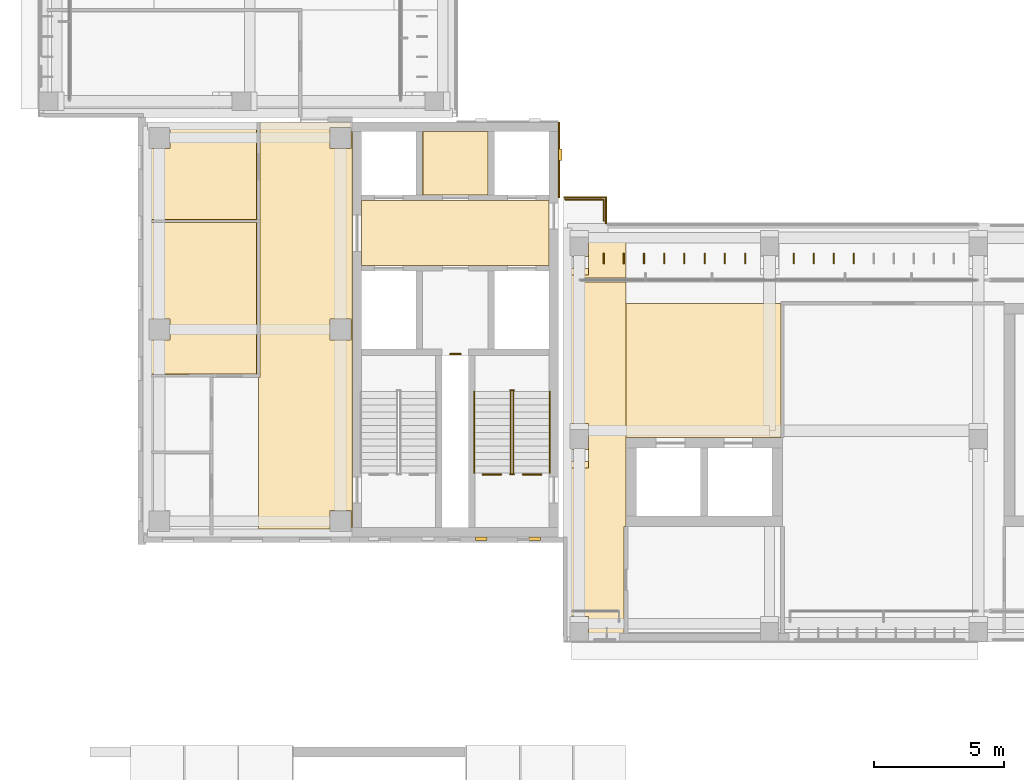
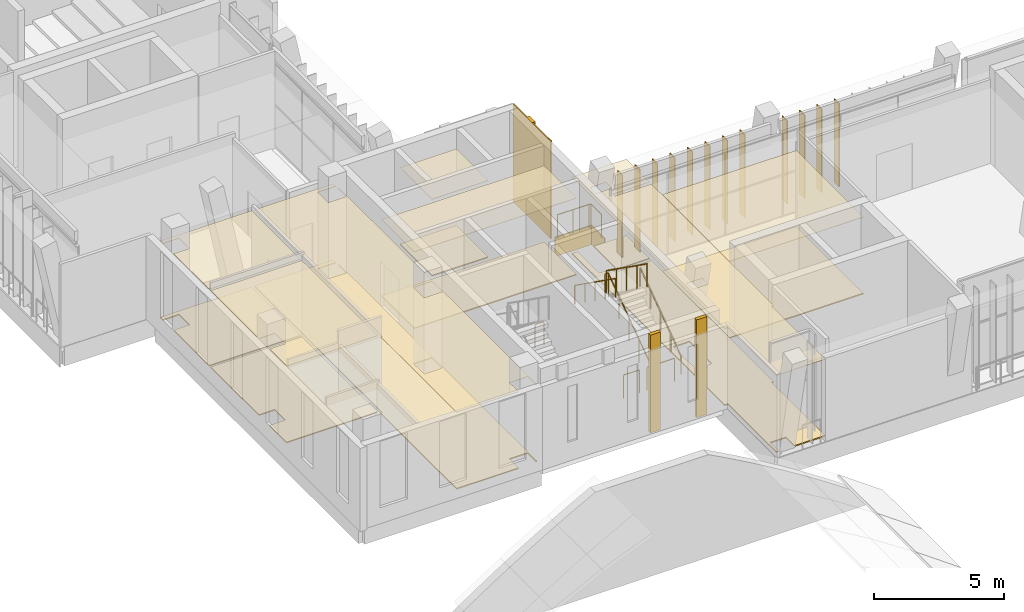
# One storey, part 54 of 74: 20 coverings, 12 shading devices, 10 railings.
"""IFC4 building model written with IfcOpenShell, lengths in metres."""

from ifc_helpers import new_model, si_unit, direction, frame, frame_2d, origin, origin_2d, place, context, subcontext, project, spatial, polyline, rectangle, circle, outline, extrude, material, layer, layer_set, type_object, element, save


model = new_model("IFC4")

# Units and contexts
model_context = context("Model", 3, precision=1e-05, world=origin(), true_north=direction((0.0, 1.0)))
body_context = subcontext(model_context, "Body", "Model", "MODEL_VIEW")
ifc_project = project(units=[si_unit("LENGTHUNIT", "METRE"), si_unit("AREAUNIT", "SQUARE_METRE"), si_unit("VOLUMEUNIT", "CUBIC_METRE"), si_unit("PLANEANGLEUNIT", "RADIAN"), si_unit("MASSUNIT", "GRAM", prefix="KILO")], contexts=[model_context])

# Site, building, storey
site_placement = place(None, origin())
site = spatial("IfcSite", under=ifc_project, at=site_placement, CompositionType="ELEMENT")
building_placement = place(site_placement, origin())
building = spatial("IfcBuilding", under=site, at=building_placement, Name="Lantern Court Media Centre", CompositionType="ELEMENT")
storey_placement = place(building_placement, frame((0.0, 0.0, 19.199951171875)))
storey = spatial("IfcBuildingStorey", under=building, at=storey_placement, Name="L04", CompositionType="ELEMENT", Elevation=19.199951171875)

# Coverings
ifc_material_1 = material(Name="Carpet")
ifc_layer_1 = layer(ifc_material_1, 0.050048828125)
ifc_layer_set_1 = layer_set([ifc_layer_1], Name="Carpet")
covering_type_1 = type_object("IfcCoveringType", Name="Carpet floor finish", PredefinedType="FLOORING", material=ifc_layer_set_1)
covering_1_placement = place(storey_placement, origin())
element("IfcCovering", 1, at=covering_1_placement, inside=storey, type_object=covering_type_1, Name="Digital Media Lab floor finish", PredefinedType="FLOORING", context=body_context, shape_type="SweptSolid", body=[
    extrude(outline(polyline([(8.300048828125, 60.052001953125), (12.33251953125, 60.052001953125), (12.33251953125, 54.24755859375), (8.300048828125, 54.235107421875), (8.300048828125, 55.544921875), (9.0048828125, 55.550048828125), (9.00390625, 56.353271484375), (8.300048828125, 56.35498046875), (8.300048828125, 60.052001953125)])), origin(), (0.0, 0.0, 1.0), 0.050048828125),
])
covering_2_placement = place(storey_placement, origin())
element("IfcCovering", 2, at=covering_2_placement, inside=storey, type_object=covering_type_1, Name="Library Administration Office floor finish", PredefinedType="FLOORING", context=body_context, shape_type="SweptSolid", body=[
    extrude(outline(polyline([(8.300048828125, 63.89990234375), (12.33251953125, 63.89990234375), (12.33251953125, 60.162109375), (8.300048828125, 60.162109375), (8.300048828125, 62.89501953125), (9.0048828125, 62.89990234375), (9.004150390625, 63.702880859375), (8.300048828125, 63.705078125), (8.300048828125, 63.89990234375)])), origin(), (0.0, 0.0, 1.0), 0.050048828125),
])
ifc_material_2 = material(Name="Ceramic tile")
ifc_layer_2 = layer(ifc_material_2, 0.050048828125)
ifc_layer_set_2 = layer_set([ifc_layer_2], Name="Ceramic tile")
covering_type_2 = type_object("IfcCoveringType", Name="Ceramic tile floor finish", PredefinedType="FLOORING", material=ifc_layer_set_2)
covering_3_placement = place(storey_placement, origin())
element("IfcCovering", 3, at=covering_3_placement, inside=storey, type_object=covering_type_2, Name="Accessible WC floor finish", PredefinedType="FLOORING", context=body_context, shape_type="SweptSolid", body=[
    extrude(outline(polyline([(21.195068359375, 63.544921875), (21.195068359375, 61.10498046875), (18.705078125, 61.10498046875), (18.705078125, 63.544921875), (21.195068359375, 63.544921875)])), origin(), (0.0, 0.0, 1.0), 0.050048828125),
])

# Railings
ifc_material_3 = material(Name="Powder-coated steel", Category="steel")
railing_type_1 = type_object("IfcRailingType", Name="Floor edge guard 1100", PredefinedType="GUARDRAIL", material=ifc_material_3)
for number, where, name in (
    (4, (23.25, 50.390380859375, 0.0), "L04 opening guard 104"),
    (5, (21.70361328125, 50.390380859375, 0.0), "L04 opening guard 105"),
):
    element("IfcRailing", number, at=place(storey_placement, frame(where)), inside=storey, type_object=railing_type_1, Name=name, PredefinedType="GUARDRAIL", context=body_context, shape_type="SweptSolid", body=[
        extrude(circle(Radius=0.02392578125, at=origin_2d()), frame((0.0, 0.0, 1.076171875), z_axis=(-1.0, 0.0, 0.0), x_axis=(0.0, -1.0, 0.0)), (0.0, 0.0, 1.0), 0.70361328125),
        extrude(circle(Radius=0.02099609375, at=origin_2d()), origin(), (0.0, 0.0, 1.0), 1.052001953125),
        extrude(circle(Radius=0.02099609375, at=origin_2d()), frame((-0.70361328125, 0.0, 0.0)), (0.0, 0.0, 1.0), 1.052001953125),
    ])
railing_1_placement = place(storey_placement, frame((20.14990234375, 55.010009765625, 0.0)))
element("IfcRailing", 6, at=railing_1_placement, inside=storey, type_object=railing_type_1, Name="L04 opening guard 106", PredefinedType="GUARDRAIL", context=body_context, shape_type="SweptSolid", body=[
    extrude(circle(Radius=0.02392578125, at=origin_2d()), frame((0.0, 0.0, 1.076171875), z_axis=(-1.0, 0.0, 0.0), x_axis=(0.0, -1.0, 0.0)), (0.0, 0.0, 1.0), 0.39990234375),
    extrude(circle(Radius=0.02099609375, at=origin_2d()), origin(), (0.0, 0.0, 1.0), 1.052001953125),
    extrude(circle(Radius=0.02099609375, at=origin_2d()), frame((-0.39990234375, 0.0, 0.0)), (0.0, 0.0, 1.0), 1.052001953125),
])
railing_2_placement = place(storey_placement, frame((24.159912109375, 60.93994140625, 0.0)))
element("IfcRailing", 7, at=railing_2_placement, inside=storey, type_object=railing_type_1, Name="L04 edge guard 122", PredefinedType="GUARDRAIL", context=body_context, shape_type="SweptSolid", body=[
    extrude(circle(Radius=0.02392578125, at=origin_2d()), frame((0.0, 0.0, 1.076171875), z_axis=(1.0, 0.0, 0.0), x_axis=(0.0, 1.0, 0.0)), (0.0, 0.0, 1.0), 1.400146484375),
    extrude(circle(Radius=0.02392578125, at=origin_2d()), frame((1.400146484375, 0.0, 1.076171875), z_axis=(0.96996776307, -0.243233506336, 0.0), x_axis=(0.243233506336, 0.96996776307, 0.0)), (0.0, 0.0, 1.0), 0.082275390625),
    extrude(circle(Radius=0.02392578125, at=origin_2d()), frame((1.47998046875, -0.02001953125, 1.076171875), z_axis=(0.0, -1.0, 0.0), x_axis=(1.0, 0.0, 0.0)), (0.0, 0.0, 1.0), 0.7998046875),
    extrude(circle(Radius=0.02099609375, at=origin_2d()), origin(), (0.0, 0.0, 1.0), 1.052001953125),
    extrude(circle(Radius=0.02099609375, at=origin_2d()), frame((0.7001953125, 0.0, 0.0)), (0.0, 0.0, 1.0), 1.052001953125),
    extrude(circle(Radius=0.02099609375, at=origin_2d()), frame((1.400146484375, 0.0, 0.0)), (0.0, 0.0, 1.0), 1.052001953125),
    extrude(circle(Radius=0.02099609375, at=origin_2d()), frame((1.47998046875, -0.02001953125, 0.0)), (0.0, 0.0, 1.0), 1.052001953125),
    extrude(circle(Radius=0.02099609375, at=origin_2d()), frame((1.47998046875, -0.81982421875, 0.0)), (0.0, 0.0, 1.0), 1.052001953125),
])

# Coverings
ifc_material_4 = material(Name="White glass-fibre reinforced cement cladding", Category="concrete")
ifc_layer_3 = layer(ifc_material_4, 0.050048828125)
ifc_layer_set_3 = layer_set([ifc_layer_3], Name="White glass-fibre reinforced cement cladding")
covering_type_3 = type_object("IfcCoveringType", Name="Floor-edge band 50", PredefinedType="CLADDING", material=ifc_layer_set_3)
covering_4_placement = place(storey_placement, frame((24.10009765625, 61.02490234375, -0.89990234375), z_axis=(0.0, 0.0, 1.0), x_axis=(1.0, 0.0, 0.0)))
element("IfcCovering", 8, at=covering_4_placement, inside=storey, type_object=covering_type_3, Name="Floor-edge band S inner L04", PredefinedType="CLADDING", context=body_context, shape_type="SweptSolid", body=[
    extrude(rectangle(XDim=1.599853515625, YDim=0.050048828125, at=frame_2d((0.7998046875, 0.0))), origin(), (0.0, 0.0, 1.0), 0.89990234375),
])
covering_5_placement = place(storey_placement, frame((25.72509765625, 60.0, -0.89990234375), z_axis=(0.0, 0.0, 1.0), x_axis=(0.0, 1.0, 0.0)))
element("IfcCovering", 9, at=covering_5_placement, inside=storey, type_object=covering_type_3, Name="Floor-edge band S inner L04", PredefinedType="CLADDING", context=body_context, shape_type="SweptSolid", body=[
    extrude(rectangle(XDim=1.050048828125, YDim=0.050048828125, at=frame_2d((0.52490234375, 0.0))), origin(), (0.0, 0.0, 1.0), 0.89990234375),
])
ifc_material_5 = material(Name="Honed limestone cladding", Category="masonry")
ifc_layer_4 = layer(ifc_material_5, 0.050048828125)
ifc_layer_set_4 = layer_set([ifc_layer_4], Name="Honed limestone cladding")
covering_type_4 = type_object("IfcCoveringType", Name="Limestone cladding panel 50", PredefinedType="CLADDING", material=ifc_layer_set_4)
covering_6_placement = place(storey_placement, frame((23.925048828125, 61.0, 0.0), z_axis=(0.0, 0.0, 1.0), x_axis=(0.0, 1.0, 0.0)))
element("IfcCovering", 10, at=covering_6_placement, inside=storey, type_object=covering_type_4, Name="Limestone joint cladding S-SW L04", PredefinedType="CLADDING", context=body_context, shape_type="SweptSolid", body=[
    extrude(rectangle(XDim=2.89990234375, YDim=0.050048828125, at=frame_2d((1.449951171875, 0.0))), origin(), (0.0, 0.0, 1.0), 4.580078125),
])
ifc_layer_5 = layer(ifc_material_5, 0.14990234375)
ifc_layer_set_5 = layer_set([ifc_layer_5], Name="Honed limestone cladding")
covering_type_5 = type_object("IfcCoveringType", Name="Limestone pilaster cladding 150", PredefinedType="CLADDING", material=ifc_layer_set_5)
covering_7_placement = place(storey_placement, frame((20.72509765625, 47.925048828125, 0.0), z_axis=(0.0, 0.0, 1.0), x_axis=(1.0, 0.0, 0.0)))
element("IfcCovering", 11, at=covering_7_placement, inside=storey, type_object=covering_type_5, Name="Limestone pilaster rib", PredefinedType="CLADDING", context=body_context, shape_type="SweptSolid", body=[
    extrude(rectangle(XDim=0.449951171875, YDim=0.14990234375, at=frame_2d((0.22509765625, 0.0))), origin(), (0.0, 0.0, 1.0), 4.580078125),
])
covering_8_placement = place(storey_placement, frame((22.77490234375, 47.925048828125, 0.0), z_axis=(0.0, 0.0, 1.0), x_axis=(1.0, 0.0, 0.0)))
element("IfcCovering", 12, at=covering_8_placement, inside=storey, type_object=covering_type_5, Name="Limestone pilaster rib", PredefinedType="CLADDING", context=body_context, shape_type="SweptSolid", body=[
    extrude(rectangle(XDim=0.4501953125, YDim=0.14990234375, at=frame_2d((0.22509765625, 0.0))), origin(), (0.0, 0.0, 1.0), 4.580078125),
])
covering_9_placement = place(storey_placement, frame((23.97509765625, 62.425048828125, 0.0), z_axis=(0.0, 0.0, 1.0), x_axis=(0.0, 1.0, 0.0)))
element("IfcCovering", 13, at=covering_9_placement, inside=storey, type_object=covering_type_5, Name="Limestone pilaster rib", PredefinedType="CLADDING", context=body_context, shape_type="SweptSolid", body=[
    extrude(rectangle(XDim=0.449951171875, YDim=0.14990234375, at=frame_2d((0.22509765625, 0.0))), origin(), (0.0, 0.0, 1.0), 4.580078125),
])

# Railings
railing_type_2 = type_object("IfcRailingType", Name="Stair guard 1100", PredefinedType="GUARDRAIL", material=ifc_material_3)
railing_3_placement = place(storey_placement, frame((22.176025390625, 50.449951171875, 0.1845703125)))
element("IfcRailing", 14, at=railing_3_placement, inside=storey, type_object=railing_type_2, Name="L04 ST-SWB stair guard 1", PredefinedType="GUARDRAIL", context=body_context, shape_type="SweptSolid", body=[
    extrude(circle(Radius=0.02392578125, at=origin_2d()), frame((0.0, 0.0, 1.076171875), z_axis=(0.0, 0.815346844174, 0.578972817752), x_axis=(-1.0, 0.0, 0.0)), (0.0, 0.0, 1.0), 3.82666015625),
    extrude(circle(Radius=0.02099609375, at=origin_2d()), origin(), (0.0, 0.0, 1.0), 1.052001953125),
    extrude(circle(Radius=0.02099609375, at=origin_2d()), frame((0.0, 0.780029296875, 0.553955078125)), (0.0, 0.0, 1.0), 1.052001953125),
    extrude(circle(Radius=0.02099609375, at=origin_2d()), frame((0.0, 1.56005859375, 1.10791015625)), (0.0, 0.0, 1.0), 1.052001953125),
    extrude(circle(Radius=0.02099609375, at=origin_2d()), frame((0.0, 2.340087890625, 1.66162109375)), (0.0, 0.0, 1.0), 1.052001953125),
    extrude(circle(Radius=0.02099609375, at=origin_2d()), frame((0.0, 3.1201171875, 2.215576171875)), (0.0, 0.0, 1.0), 1.052001953125),
])
railing_4_placement = place(storey_placement, frame((22.199951171875, 53.6201171875, 2.400146484375)))
element("IfcRailing", 15, at=railing_4_placement, inside=storey, type_object=railing_type_2, Name="L04 ST-SWB stair guard 2", PredefinedType="GUARDRAIL", context=body_context, shape_type="SweptSolid", body=[
    extrude(circle(Radius=0.02392578125, at=origin_2d()), frame((0.0, 0.0, 1.076171875), z_axis=(-1.0, 0.0, 0.0), x_axis=(0.0, -1.0, 0.0)), (0.0, 0.0, 1.0), 0.14990234375),
    extrude(circle(Radius=0.02099609375, at=origin_2d()), origin(), (0.0, 0.0, 1.0), 1.052001953125),
    extrude(circle(Radius=0.02099609375, at=origin_2d()), frame((-0.14990234375, 0.0, 0.0)), (0.0, 0.0, 1.0), 1.052001953125),
])
railing_5_placement = place(storey_placement, frame((22.073974609375, 53.570068359375, 2.584716796875)))
element("IfcRailing", 16, at=railing_5_placement, inside=storey, type_object=railing_type_2, Name="L04 ST-SWB stair guard 3", PredefinedType="GUARDRAIL", context=body_context, shape_type="SweptSolid", body=[
    extrude(circle(Radius=0.02392578125, at=origin_2d()), frame((0.0, 0.0, 1.076171875), z_axis=(0.0, -0.815376961211, 0.578930402662), x_axis=(1.0, 0.0, 0.0)), (0.0, 0.0, 1.0), 3.82666015625),
    extrude(circle(Radius=0.02099609375, at=origin_2d()), origin(), (0.0, 0.0, 1.0), 1.052001953125),
    extrude(circle(Radius=0.02099609375, at=origin_2d()), frame((0.0, -0.780029296875, 0.5537109375)), (0.0, 0.0, 1.0), 1.052001953125),
    extrude(circle(Radius=0.02099609375, at=origin_2d()), frame((0.0, -1.56005859375, 1.107666015625)), (0.0, 0.0, 1.0), 1.052001953125),
    extrude(circle(Radius=0.02099609375, at=origin_2d()), frame((0.0, -2.340087890625, 1.66162109375)), (0.0, 0.0, 1.0), 1.052001953125),
    extrude(circle(Radius=0.02099609375, at=origin_2d()), frame((0.0, -3.1201171875, 2.21533203125)), (0.0, 0.0, 1.0), 1.052001953125),
])
railing_6_placement = place(storey_placement, frame((22.199951171875, 50.39990234375, 0.0)))
element("IfcRailing", 17, at=railing_6_placement, inside=storey, type_object=railing_type_2, Name="L04 ST-SWB stair guard 4", PredefinedType="GUARDRAIL", context=body_context, shape_type="SweptSolid", body=[
    extrude(circle(Radius=0.02392578125, at=origin_2d()), frame((0.0, 0.0, 1.076171875), z_axis=(-1.0, 0.0, 0.0), x_axis=(0.0, -1.0, 0.0)), (0.0, 0.0, 1.0), 0.14990234375),
    extrude(circle(Radius=0.02099609375, at=origin_2d()), origin(), (0.0, 0.0, 1.0), 1.052001953125),
    extrude(circle(Radius=0.02099609375, at=origin_2d()), frame((-0.14990234375, 0.0, 0.0)), (0.0, 0.0, 1.0), 1.052001953125),
])
railing_type_3 = type_object("IfcRailingType", Name="Stair handrail 900", PredefinedType="HANDRAIL", material=ifc_material_3)
railing_7_placement = place(storey_placement, frame((23.573974609375, 50.449951171875, 0.1845703125)))
element("IfcRailing", 18, at=railing_7_placement, inside=storey, type_object=railing_type_3, Name="L04 ST-SWB stair handrail 1", PredefinedType="HANDRAIL", context=body_context, shape_type="SweptSolid", body=[
    extrude(circle(Radius=0.02392578125, at=origin_2d()), frame((0.0, 0.0, 0.8759765625), z_axis=(0.0, 0.815346844174, 0.578972817752), x_axis=(-1.0, 0.0, 0.0)), (0.0, 0.0, 1.0), 3.82666015625),
    extrude(circle(Radius=0.02099609375, at=origin_2d()), origin(), (0.0, 0.0, 1.0), 0.851806640625),
    extrude(circle(Radius=0.02099609375, at=origin_2d()), frame((0.0, 0.780029296875, 0.553955078125)), (0.0, 0.0, 1.0), 0.851806640625),
    extrude(circle(Radius=0.02099609375, at=origin_2d()), frame((0.0, 1.56005859375, 1.10791015625)), (0.0, 0.0, 1.0), 0.851806640625),
    extrude(circle(Radius=0.02099609375, at=origin_2d()), frame((0.0, 2.340087890625, 1.66162109375)), (0.0, 0.0, 1.0), 0.851806640625),
    extrude(circle(Radius=0.02099609375, at=origin_2d()), frame((0.0, 3.1201171875, 2.215576171875)), (0.0, 0.0, 1.0), 0.851806640625),
])
railing_8_placement = place(storey_placement, frame((20.676025390625, 53.570068359375, 2.584716796875)))
element("IfcRailing", 19, at=railing_8_placement, inside=storey, type_object=railing_type_3, Name="L04 ST-SWB stair handrail 2", PredefinedType="HANDRAIL", context=body_context, shape_type="SweptSolid", body=[
    extrude(circle(Radius=0.02392578125, at=origin_2d()), frame((0.0, 0.0, 0.8759765625), z_axis=(0.0, -0.815376961211, 0.578930402662), x_axis=(1.0, 0.0, 0.0)), (0.0, 0.0, 1.0), 3.82666015625),
    extrude(circle(Radius=0.02099609375, at=origin_2d()), origin(), (0.0, 0.0, 1.0), 0.851806640625),
    extrude(circle(Radius=0.02099609375, at=origin_2d()), frame((0.0, -0.780029296875, 0.5537109375)), (0.0, 0.0, 1.0), 0.851806640625),
    extrude(circle(Radius=0.02099609375, at=origin_2d()), frame((0.0, -1.56005859375, 1.107666015625)), (0.0, 0.0, 1.0), 0.851806640625),
    extrude(circle(Radius=0.02099609375, at=origin_2d()), frame((0.0, -2.340087890625, 1.66162109375)), (0.0, 0.0, 1.0), 0.851806640625),
    extrude(circle(Radius=0.02099609375, at=origin_2d()), frame((0.0, -3.1201171875, 2.21533203125)), (0.0, 0.0, 1.0), 0.851806640625),
])

# Coverings
ifc_material_6 = material(Name="Mineral fibre ceiling tile")
ifc_layer_6 = layer(ifc_material_6, 0.02001953125)
ifc_layer_set_6 = layer_set([ifc_layer_6], Name="Mineral fibre ceiling tile")
covering_type_6 = type_object("IfcCoveringType", Name="Suspended ceiling tile", PredefinedType="CEILING", material=ifc_layer_set_6)
covering_10_placement = place(storey_placement, frame((0.0, 0.0, 3.60009765625)))
element("IfcCovering", 20, at=covering_10_placement, inside=storey, type_object=covering_type_6, Name="End Lobby ceiling", PredefinedType="CEILING", context=body_context, shape_type="SweptSolid", body=[
    extrude(outline(polyline([(26.5, 57.7744140625), (26.49951171875, 48.400390625), (26.41943359375, 48.39990234375), (26.41943359375, 44.300537109375), (24.240478515625, 44.300048828125), (24.240478515625, 48.0), (24.10009765625, 48.00048828125), (24.10009765625, 59.699951171875), (26.5, 59.699951171875), (26.5, 57.925537109375), (24.8994140625, 57.925048828125), (24.89990234375, 57.7744140625), (26.5, 57.7744140625)]), holes=[polyline([(25.050537109375, 58.75), (24.349609375, 58.75048828125), (24.349609375, 58.297607421875), (25.05029296875, 58.297607421875), (25.050537109375, 58.75)]), polyline([(25.050537109375, 51.35009765625), (24.349609375, 51.350341796875), (24.349609375, 50.897705078125), (25.05029296875, 50.8974609375), (25.050537109375, 51.35009765625)])]), origin(), (0.0, 0.0, 1.0), 0.02001953125),
])
covering_11_placement = place(storey_placement, frame((0.0, 0.0, 3.60009765625)))
element("IfcCovering", 21, at=covering_11_placement, inside=storey, type_object=covering_type_6, Name="Lift Lobby ceiling", PredefinedType="CEILING", context=body_context, shape_type="SweptSolid", body=[
    extrude(outline(polyline([(26.5, 56.949951171875), (32.43701171875, 56.949951171875), (32.43701171875, 51.800537109375), (26.5, 51.800537109375), (26.5, 56.949951171875)])), origin(), (0.0, 0.0, 1.0), 0.02001953125),
])
covering_12_placement = place(storey_placement, frame((0.0, 0.0, 3.60009765625)))
element("IfcCovering", 22, at=covering_12_placement, inside=storey, type_object=covering_type_6, Name="Lift Lobby ceiling", PredefinedType="CEILING", context=body_context, shape_type="SweptSolid", body=[
    extrude(outline(polyline([(23.549560546875, 60.8994140625), (23.549560546875, 58.400390625), (16.3505859375, 58.400390625), (16.3505859375, 60.8994140625), (23.549560546875, 60.8994140625)])), origin(), (0.0, 0.0, 1.0), 0.02001953125),
])
covering_13_placement = place(storey_placement, frame((0.0, 0.0, 3.60009765625)))
element("IfcCovering", 23, at=covering_13_placement, inside=storey, type_object=covering_type_6, Name="Accessible WC ceiling", PredefinedType="CEILING", context=body_context, shape_type="SweptSolid", body=[
    extrude(outline(polyline([(21.199462890625, 61.1005859375), (18.700439453125, 61.1005859375), (18.700439453125, 63.549560546875), (21.199462890625, 63.549560546875), (21.199462890625, 61.1005859375)])), origin(), (0.0, 0.0, 1.0), 0.02001953125),
])
covering_14_placement = place(storey_placement, frame((0.0, 0.0, 3.60009765625)))
element("IfcCovering", 24, at=covering_14_placement, inside=storey, type_object=covering_type_6, Name="Corridor ceiling", PredefinedType="CEILING", context=body_context, shape_type="SweptSolid", body=[
    extrude(outline(polyline([(12.462890625, 63.89990234375), (15.949462890625, 63.8994140625), (15.949462890625, 63.700439453125), (15.149658203125, 63.700439453125), (15.14990234375, 62.8994140625), (15.950439453125, 62.899658203125), (15.950439453125, 63.549560546875), (15.99951171875, 63.549560546875), (15.99951171875, 48.3505859375), (15.950439453125, 48.3505859375), (15.950439453125, 49.00048828125), (15.14990234375, 49.00048828125), (15.1494140625, 48.300048828125), (12.39990234375, 48.300048828125), (12.39990234375, 54.116943359375), (12.462890625, 54.117431640625), (12.462890625, 63.89990234375)]), holes=[polyline([(15.949951171875, 55.549560546875), (15.950439453125, 56.350341796875), (15.149658203125, 56.350341796875), (15.149658203125, 55.549560546875), (15.949951171875, 55.549560546875)])]), origin(), (0.0, 0.0, 1.0), 0.02001953125),
])
covering_15_placement = place(storey_placement, frame((0.0, 0.0, 3.60009765625)))
element("IfcCovering", 25, at=covering_15_placement, inside=storey, type_object=covering_type_6, Name="Digital Media Lab ceiling", PredefinedType="CEILING", context=body_context, shape_type="SweptSolid", body=[
    extrude(outline(polyline([(8.300048828125, 60.056396484375), (12.3369140625, 60.056396484375), (12.3369140625, 54.242919921875), (8.300048828125, 54.23046875), (8.300048828125, 55.549560546875), (9.00048828125, 55.550048828125), (9.00048828125, 56.350341796875), (8.300048828125, 56.3505859375), (8.300048828125, 60.056396484375)])), origin(), (0.0, 0.0, 1.0), 0.02001953125),
])
covering_16_placement = place(storey_placement, frame((0.0, 0.0, 3.60009765625)))
element("IfcCovering", 26, at=covering_16_placement, inside=storey, type_object=covering_type_6, Name="Library Administration Office ceiling", PredefinedType="CEILING", context=body_context, shape_type="SweptSolid", body=[
    extrude(outline(polyline([(8.300048828125, 63.89990234375), (12.3369140625, 63.89990234375), (12.3369140625, 60.157470703125), (8.300048828125, 60.157470703125), (8.300048828125, 62.8994140625), (9.00048828125, 62.89990234375), (9.00048828125, 63.7001953125), (8.300048828125, 63.700439453125), (8.300048828125, 63.89990234375)])), origin(), (0.0, 0.0, 1.0), 0.02001953125),
])
ifc_material_7 = material(Name="Terrazzo")
ifc_layer_7 = layer(ifc_material_7, 0.050048828125)
ifc_layer_set_7 = layer_set([ifc_layer_7], Name="Terrazzo")
covering_type_7 = type_object("IfcCoveringType", Name="Terrazzo floor finish", PredefinedType="FLOORING", material=ifc_layer_set_7)
covering_17_placement = place(storey_placement, origin())
element("IfcCovering", 27, at=covering_17_placement, inside=storey, type_object=covering_type_7, Name="End Lobby floor finish", PredefinedType="FLOORING", context=body_context, shape_type="SweptSolid", body=[
    extrude(outline(polyline([(26.5, 57.77001953125), (26.4951171875, 48.405029296875), (26.4150390625, 48.39990234375), (26.4150390625, 44.304931640625), (25.054931640625, 44.300048828125), (25.053466796875, 44.95361328125), (24.35009765625, 44.955078125), (24.344970703125, 44.300048828125), (24.2451171875, 44.300048828125), (24.2451171875, 48.0), (24.10009765625, 48.0048828125), (24.10009765625, 59.699951171875), (24.344970703125, 59.699951171875), (24.35009765625, 58.044921875), (25.0546875, 58.048095703125), (25.054931640625, 59.699951171875), (26.5, 59.699951171875), (26.5, 57.929931640625), (24.89501953125, 57.925048828125), (24.8994140625, 57.77001953125), (26.5, 57.77001953125)]), holes=[polyline([(25.050048828125, 50.64501953125), (25.0546875, 52.351806640625), (24.34814453125, 52.354736328125), (24.345458984375, 50.648193359375), (25.050048828125, 50.64501953125)])]), origin(), (0.0, 0.0, 1.0), 0.050048828125),
])
covering_18_placement = place(storey_placement, origin())
element("IfcCovering", 28, at=covering_18_placement, inside=storey, type_object=covering_type_7, Name="Lift Lobby floor finish", PredefinedType="FLOORING", context=body_context, shape_type="SweptSolid", body=[
    extrude(outline(polyline([(26.5, 56.949951171875), (32.4326171875, 56.949951171875), (32.4326171875, 51.804931640625), (26.5, 51.804931640625), (26.5, 56.949951171875)])), origin(), (0.0, 0.0, 1.0), 0.050048828125),
])
covering_19_placement = place(storey_placement, origin())
element("IfcCovering", 29, at=covering_19_placement, inside=storey, type_object=covering_type_7, Name="Lift Lobby floor finish", PredefinedType="FLOORING", context=body_context, shape_type="SweptSolid", body=[
    extrude(outline(polyline([(23.544921875, 60.89501953125), (23.544921875, 58.405029296875), (16.35498046875, 58.405029296875), (16.35498046875, 60.89501953125), (23.544921875, 60.89501953125)])), origin(), (0.0, 0.0, 1.0), 0.050048828125),
])
covering_20_placement = place(storey_placement, origin())
element("IfcCovering", 30, at=covering_20_placement, inside=storey, type_object=covering_type_7, Name="Corridor floor finish", PredefinedType="FLOORING", context=body_context, shape_type="SweptSolid", body=[
    extrude(outline(polyline([(12.467529296875, 63.89990234375), (15.945068359375, 63.89501953125), (15.945068359375, 63.705078125), (15.146240234375, 63.703125), (15.14892578125, 62.89501953125), (15.953125, 62.896240234375), (15.955078125, 63.544921875), (15.9951171875, 63.544921875), (15.9951171875, 48.35498046875), (15.955078125, 48.35498046875), (15.953125, 49.00390625), (15.14990234375, 49.0048828125), (15.14501953125, 48.300048828125), (12.39990234375, 48.300048828125), (12.39990234375, 54.112548828125), (12.467529296875, 54.117431640625), (12.467529296875, 63.89990234375)]), holes=[polyline([(15.14501953125, 55.550048828125), (15.95361328125, 55.54638671875), (15.95361328125, 56.353515625), (15.146484375, 56.353515625), (15.14501953125, 55.550048828125)])]), origin(), (0.0, 0.0, 1.0), 0.050048828125),
])

# Shading devices
ifc_material_8 = material(Name="Bronze anodised aluminium louvre", Category="aluminium")
ifc_layer_8 = layer(ifc_material_8, 0.0400390625)
ifc_layer_set_8 = layer_set([ifc_layer_8], Name="Bronze anodised aluminium louvre")
shading_device_type = type_object("IfcShadingDeviceType", Name="Vertical louvre 40x400 under beam", PredefinedType="USERDEFINED", material=ifc_layer_set_8)
for number, where, z_axis, x_axis, name in (
    (31, (25.637451171875, 58.679931640625, 0.0), (0.0, 0.0, 1.0), (1.0, 0.0, 0.0), "Vertical louvre S inner L04"),
    (32, (26.41259765625, 58.679931640625, 0.0), (0.0, 0.0, 1.0), (1.0, 0.0, 0.0), "Vertical louvre S inner L04"),
    (33, (27.1875, 58.679931640625, 0.0), (0.0, 0.0, 1.0), (1.0, 0.0, 0.0), "Vertical louvre S inner L04"),
    (34, (27.96240234375, 58.679931640625, 0.0), (0.0, 0.0, 1.0), (1.0, 0.0, 0.0), "Vertical louvre S inner L04"),
    (35, (28.737548828125, 58.679931640625, 0.0), (0.0, 0.0, 1.0), (1.0, 0.0, 0.0), "Vertical louvre S inner L04"),
    (36, (29.512451171875, 58.679931640625, 0.0), (0.0, 0.0, 1.0), (1.0, 0.0, 0.0), "Vertical louvre S inner L04"),
    (37, (30.28759765625, 58.679931640625, 0.0), (0.0, 0.0, 1.0), (1.0, 0.0, 0.0), "Vertical louvre S inner L04"),
    (38, (31.0625, 58.679931640625, 0.0), (0.0, 0.0, 1.0), (1.0, 0.0, 0.0), "Vertical louvre S inner L04"),
    (39, (32.933349609375, 58.679931640625, 0.0), (0.0, 0.0, 1.0), (1.0, 0.0, 0.0), "Vertical louvre S inner L04"),
    (40, (33.699951171875, 58.679931640625, 0.0), (0.0, 0.0, 1.0), (1.0, 0.0, 0.0), "Vertical louvre S inner L04"),
    (41, (34.466552734375, 58.679931640625, 0.0), (0.0, 0.0, 1.0), (1.0, 0.0, 0.0), "Vertical louvre S inner L04"),
    (42, (35.2333984375, 58.679931640625, 0.0), (0.0, 0.0, 1.0), (1.0, 0.0, 0.0), "Vertical louvre S inner L04"),
):
    element("IfcShadingDevice", number, at=place(storey_placement, frame(where, z_axis=z_axis, x_axis=x_axis)), inside=storey, type_object=shading_device_type, Name=name, ObjectType="VERTICAL LOUVRE", PredefinedType="USERDEFINED", context=body_context, shape_type="SweptSolid", body=[
        extrude(rectangle(XDim=0.0400390625, YDim=0.39990234375, at=origin_2d()), origin(), (0.0, 0.0, 1.0), 3.89990234375),
    ])

save(model, "model.ifc")
